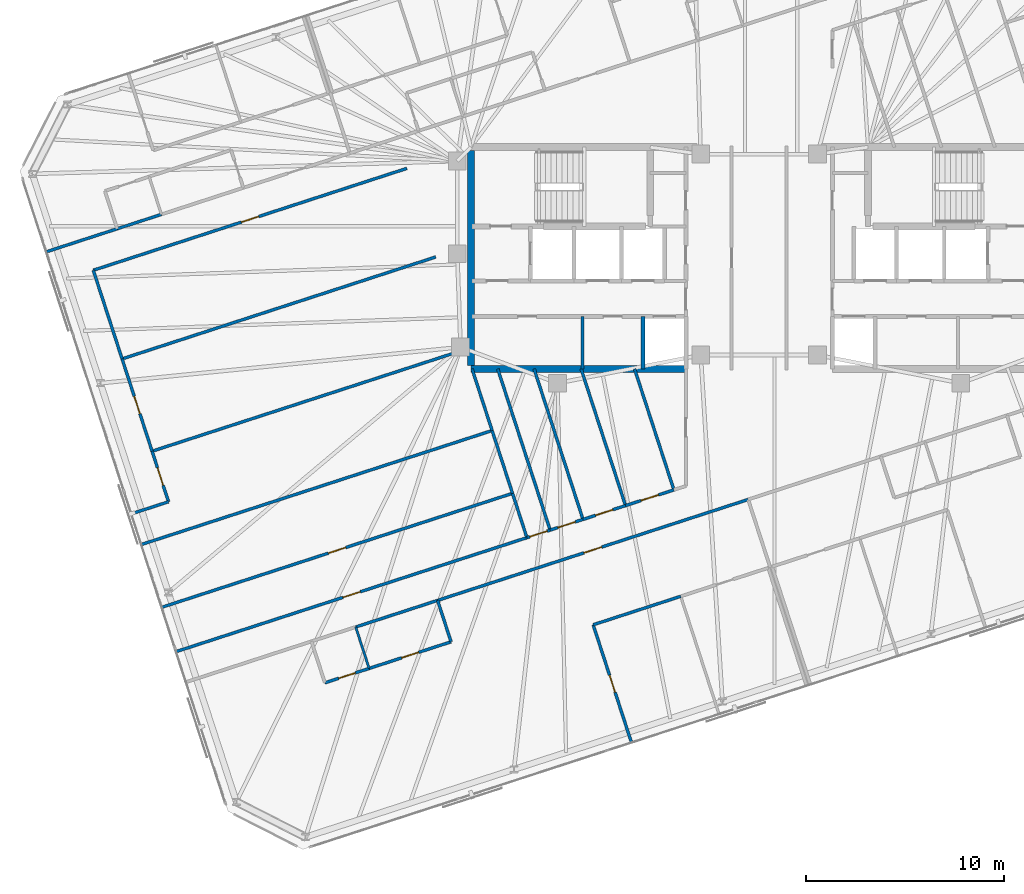
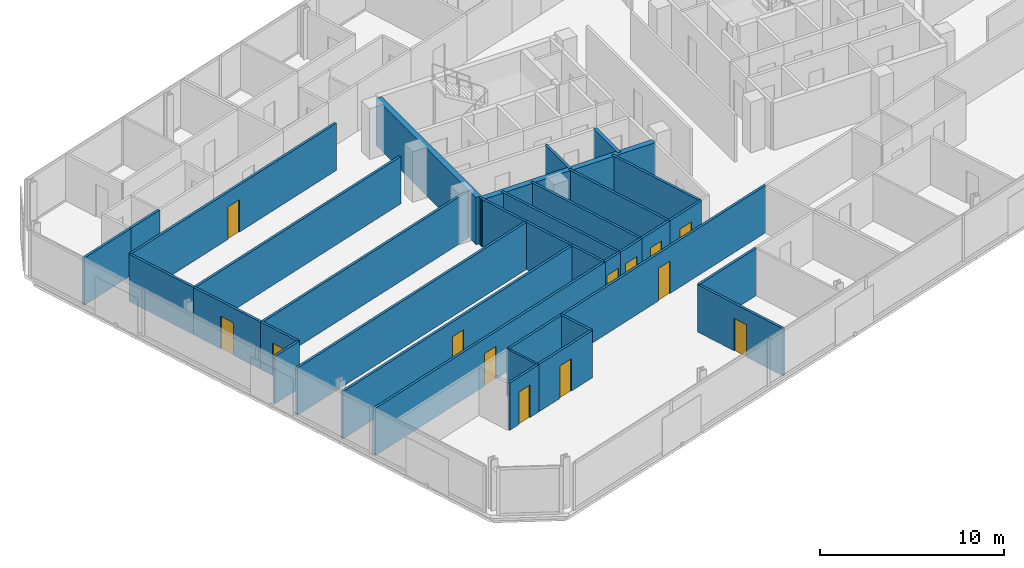
# One storey, part 13 of 20: 35 walls, 13 doors, 13 openings.
"""IFC4 building model written with IfcOpenShell, lengths in metres."""

from ifc_helpers import new_model, si_unit, direction, frame, frame_2d, origin, place, context, subcontext, project, spatial, rectangle, extrude, material, layer, layer_set, type_object, element, fill, save


model = new_model("IFC4")

# Units and contexts
model_context = context("Model", 3, precision=1e-05, world=origin(), true_north=direction((0.0, 1.0)))
body_context = subcontext(model_context, "Body", "Model", "MODEL_VIEW")
ifc_project = project(units=[si_unit("LENGTHUNIT", "METRE"), si_unit("AREAUNIT", "SQUARE_METRE"), si_unit("VOLUMEUNIT", "CUBIC_METRE"), si_unit("PLANEANGLEUNIT", "RADIAN"), si_unit("MASSUNIT", "GRAM", prefix="KILO")], contexts=[model_context])

# Site, building, storey
site_placement = place(None, origin())
site = spatial("IfcSite", under=ifc_project, at=site_placement, CompositionType="ELEMENT")
building_placement = place(site_placement, origin())
building = spatial("IfcBuilding", under=site, at=building_placement, Name="Menara Jurai Vektor", CompositionType="ELEMENT")
storey_placement = place(building_placement, frame((0.0, 0.0, 244.39990234375)))
storey = spatial("IfcBuildingStorey", under=building, at=storey_placement, Name="L65", CompositionType="ELEMENT", Elevation=244.39990234375)

# Walls
ifc_material_1 = material(Name="Gypsum Fireboard Partition", Category="gypsum")
ifc_layer_1 = layer(ifc_material_1, 0.14990234375)
ifc_layer_set_1 = layer_set([ifc_layer_1], Name="Gypsum Fireboard Partition")
wall_type_1 = type_object("IfcWallType", Name="INT-WALL-CORR-150", PredefinedType="PARTITIONING", material=ifc_layer_set_1)
wall_1_placement = place(storey_placement, frame((-8.919921875, -5.60009765625, 0.0), z_axis=(0.0, 0.0, 1.0), x_axis=(0.0, 1.0, 0.0)))
element("IfcWall", 1, at=wall_1_placement, inside=storey, type_object=wall_type_1, Name="Interior Wall IW-150 L65", PredefinedType="PARTITIONING", context=body_context, shape_type="SweptSolid", body=[
    extrude(rectangle(XDim=2.650146484375, YDim=0.14990234375, at=frame_2d((1.3251953125, 0.0))), origin(), (0.0, 0.0, 1.0), 3.125),
])
wall_2_placement = place(storey_placement, frame((-36.01220703125, 0.314208984375, 0.0), z_axis=(0.0, 0.0, 1.0), x_axis=(0.951071182868, 0.308971851659, 0.0)))
element("IfcWall", 2, at=wall_2_placement, inside=storey, type_object=wall_type_1, Name="Interior Wall IW-150 L65", PredefinedType="PARTITIONING", context=body_context, shape_type="SweptSolid", body=[
    extrude(rectangle(XDim=3.77001953125, YDim=0.14990234375, at=frame_2d((1.885009765625, 0.0))), origin(), (0.0, 0.0, 1.0), 3.125),
])
wall_3_placement = place(storey_placement, frame((-32.4267578125, 1.47900390625, 0.0), z_axis=(0.0, 0.0, 1.0), x_axis=(0.951045519245, 0.309050837767, 0.0)))
element("IfcWall", 3, at=wall_3_placement, inside=storey, type_object=wall_type_1, Name="Interior Wall IW-150 L65", PredefinedType="PARTITIONING", context=body_context, shape_type="SweptSolid", body=[
    extrude(rectangle(XDim=2.35009765625, YDim=0.14990234375, at=frame_2d((1.175048828125, 0.0))), origin(), (0.0, 0.0, 1.0), 3.125),
])

# Wall, opening, door
wall_4_placement = place(storey_placement, frame((-16.241943359375, -17.292236328125, 0.0), z_axis=(0.0, 0.0, 1.0), x_axis=(0.951056800106, 0.309016120894, 0.0)))
wall_4 = element("IfcWall", 4, at=wall_4_placement, inside=storey, type_object=wall_type_1, Name="Interior Wall IW-150 L65", PredefinedType="PARTITIONING", context=body_context, shape_type="SweptSolid", body=[
    extrude(rectangle(XDim=16.494140625, YDim=0.14990234375, at=frame_2d((8.2470703125, 0.0))), origin(), (0.0, 0.0, 1.0), 3.125),
])
opening_1_placement = place(wall_4_placement, frame((7.77197265625, 0.0, 0.0)))
opening_1 = element("IfcOpeningElement", 5, at=opening_1_placement, cuts=wall_4, Name="Opening D65-29", PredefinedType="OPENING", context=body_context, shape_type="SweptSolid", body=[
    extrude(rectangle(XDim=0.949951171875, YDim=2.14990234375, at=frame_2d((0.47509765625, 1.074951171875))), frame((0.0, 0.0849609375, 0.0), z_axis=(0.0, -1.0, 0.0), x_axis=(1.0, 0.0, 0.0)), (0.0, 0.0, 1.0), 0.169921875),
])
ifc_material_2 = material(Name="Solid Core Timber Fire Door", Category="wood")
door_type_1 = type_object("IfcDoorType", Name="DR-ENTRY-950", OperationType="NOTDEFINED", PredefinedType="DOOR", material=ifc_material_2)
door_1_placement = place(opening_1_placement, origin())
door_1 = element("IfcDoor", 6, at=door_1_placement, inside=storey, type_object=door_type_1, Name="Interior Door D65-29", OperationType="SINGLE_SWING_RIGHT", OverallHeight=2.14990234375, OverallWidth=0.949951171875, PredefinedType="DOOR", context=body_context, shape_type="SweptSolid", body=[
    extrude(rectangle(XDim=0.949951171875, YDim=2.14990234375, at=frame_2d((0.47509765625, 1.074951171875))), frame((0.0, 0.02490234375, 0.0), z_axis=(0.0, -1.0, 0.0), x_axis=(1.0, 0.0, 0.0)), (0.0, 0.0, 1.0), 0.050048828125),
])
fill(opening_1, door_1)

# Wall
wall_5_placement = place(storey_placement, frame((-20.37890625, -18.636474609375, 0.0), z_axis=(0.0, 0.0, 1.0), x_axis=(0.951052627573, 0.309028962374, 0.0)))
element("IfcWall", 7, at=wall_5_placement, inside=storey, type_object=wall_type_1, Name="Interior Wall IW-150 L65", PredefinedType="PARTITIONING", context=body_context, shape_type="SweptSolid", body=[
    extrude(rectangle(XDim=4.349853515625, YDim=0.14990234375, at=frame_2d((2.1748046875, 0.0))), origin(), (0.0, 0.0, 1.0), 3.125),
])

# Wall, opening, door
wall_6_placement = place(storey_placement, frame((-29.450439453125, -19.880615234375, 0.0), z_axis=(0.0, 0.0, 1.0), x_axis=(0.95105650271, 0.309017036186, 0.0)))
wall_6 = element("IfcWall", 8, at=wall_6_placement, inside=storey, type_object=wall_type_1, Name="Interior Wall IW-150 L65", PredefinedType="PARTITIONING", context=body_context, shape_type="SweptSolid", body=[
    extrude(rectangle(XDim=18.6318359375, YDim=0.14990234375, at=frame_2d((9.31591796875, 0.0))), origin(), (0.0, 0.0, 1.0), 3.125),
])
opening_2_placement = place(wall_6_placement, frame((8.85595703125, 0.0, 0.0)))
opening_2 = element("IfcOpeningElement", 9, at=opening_2_placement, cuts=wall_6, Name="Opening D65-39", PredefinedType="OPENING", context=body_context, shape_type="SweptSolid", body=[
    extrude(rectangle(XDim=0.919921875, YDim=2.14990234375, at=frame_2d((0.4599609375, 1.074951171875))), frame((0.0, 0.0849609375, 0.0), z_axis=(0.0, -1.0, 0.0), x_axis=(1.0, 0.0, 0.0)), (0.0, 0.0, 1.0), 0.169921875),
])
door_2_placement = place(opening_2_placement, origin())
door_2 = element("IfcDoor", 10, at=door_2_placement, inside=storey, type_object=door_type_1, Name="Interior Door D65-39", OperationType="SINGLE_SWING_RIGHT", OverallHeight=2.14990234375, OverallWidth=0.919921875, PredefinedType="DOOR", context=body_context, shape_type="SweptSolid", body=[
    extrude(rectangle(XDim=0.919921875, YDim=2.14990234375, at=frame_2d((0.4599609375, 1.074951171875))), frame((0.0, 0.02490234375, 0.0), z_axis=(0.0, -1.0, 0.0), x_axis=(1.0, 0.0, 0.0)), (0.0, 0.0, 1.0), 0.050048828125),
])
fill(opening_2, door_2)

# Wall
wall_7_placement = place(storey_placement, frame((-31.7119140625, -12.9208984375, 0.0), z_axis=(0.0, 0.0, 1.0), x_axis=(0.951054051148, 0.309024581215, 0.0)))
element("IfcWall", 11, at=wall_7_placement, inside=storey, type_object=wall_type_1, Name="Interior Wall IW-150 L65", PredefinedType="PARTITIONING", context=body_context, shape_type="SweptSolid", body=[
    extrude(rectangle(XDim=1.97509765625, YDim=0.14990234375, at=frame_2d((0.987548828125, 0.0))), origin(), (0.0, 0.0, 1.0), 3.125),
])

# Wall, opening, door
wall_8_placement = place(storey_placement, frame((-29.83349609375, -12.310546875, 0.0), z_axis=(0.0, 0.0, 1.0), x_axis=(-0.309044953986, 0.951047431213, 0.0)))
wall_8 = element("IfcWall", 12, at=wall_8_placement, inside=storey, type_object=wall_type_1, Name="Interior Wall IW-150 L65", PredefinedType="PARTITIONING", context=body_context, shape_type="SweptSolid", body=[
    extrude(rectangle(XDim=2.68505859375, YDim=0.14990234375, at=frame_2d((1.342529296875, 0.0))), origin(), (0.0, 0.0, 1.0), 3.125),
])
opening_3_placement = place(wall_8_placement, frame((0.882568359375, 0.0, 0.0)))
opening_3 = element("IfcOpeningElement", 13, at=opening_3_placement, cuts=wall_8, Name="Opening D65-41", PredefinedType="OPENING", context=body_context, shape_type="SweptSolid", body=[
    extrude(rectangle(XDim=0.919921875, YDim=2.14990234375, at=frame_2d((0.4599609375, 1.074951171875))), frame((0.0, 0.0849609375, 0.0), z_axis=(0.0, -1.0, 0.0), x_axis=(1.0, 0.0, 0.0)), (0.0, 0.0, 1.0), 0.169921875),
])
door_3_placement = place(opening_3_placement, origin())
door_3 = element("IfcDoor", 14, at=door_3_placement, inside=storey, type_object=door_type_1, Name="Interior Door D65-41", OperationType="SINGLE_SWING_RIGHT", OverallHeight=2.14990234375, OverallWidth=0.919921875, PredefinedType="DOOR", context=body_context, shape_type="SweptSolid", body=[
    extrude(rectangle(XDim=0.919921875, YDim=2.14990234375, at=frame_2d((0.4599609375, 1.074951171875))), frame((0.0, 0.02490234375, 0.0), z_axis=(0.0, -1.0, 0.0), x_axis=(1.0, 0.0, 0.0)), (0.0, 0.0, 1.0), 0.050048828125),
])
fill(opening_3, door_3)

wall_9_placement = place(storey_placement, frame((-30.663330078125, -9.7568359375, 0.0), z_axis=(0.0, 0.0, 1.0), x_axis=(-0.309019653166, 0.951055652397, 0.0)))
wall_9 = element("IfcWall", 15, at=wall_9_placement, inside=storey, type_object=wall_type_1, Name="Interior Wall IW-150 L65", PredefinedType="PARTITIONING", context=body_context, shape_type="SweptSolid", body=[
    extrude(rectangle(XDim=4.90380859375, YDim=0.14990234375, at=frame_2d((2.451904296875, 0.0))), origin(), (0.0, 0.0, 1.0), 3.125),
])
opening_4_placement = place(wall_9_placement, frame((1.991943359375, 0.0, 0.0)))
opening_4 = element("IfcOpeningElement", 16, at=opening_4_placement, cuts=wall_9, Name="Opening D65-42", PredefinedType="OPENING", context=body_context, shape_type="SweptSolid", body=[
    extrude(rectangle(XDim=0.919921875, YDim=2.14990234375, at=frame_2d((0.4599609375, 1.074951171875))), frame((0.0, 0.0849609375, 0.0), z_axis=(0.0, -1.0, 0.0), x_axis=(1.0, 0.0, 0.0)), (0.0, 0.0, 1.0), 0.169921875),
])
door_4_placement = place(opening_4_placement, origin())
door_4 = element("IfcDoor", 17, at=door_4_placement, inside=storey, type_object=door_type_1, Name="Interior Door D65-42", OperationType="SINGLE_SWING_LEFT", OverallHeight=2.14990234375, OverallWidth=0.919921875, PredefinedType="DOOR", context=body_context, shape_type="SweptSolid", body=[
    extrude(rectangle(XDim=0.919921875, YDim=2.14990234375, at=frame_2d((0.4599609375, 1.074951171875))), frame((0.0, 0.02490234375, 0.0), z_axis=(0.0, -1.0, 0.0), x_axis=(1.0, 0.0, 0.0)), (0.0, 0.0, 1.0), 0.050048828125),
])
fill(opening_4, door_4)

# Wall
wall_10_placement = place(storey_placement, frame((-32.1787109375, -5.093017578125, 0.0), z_axis=(0.0, 0.0, 1.0), x_axis=(-0.309014532869, 0.951057316083, 0.0)))
element("IfcWall", 18, at=wall_10_placement, inside=storey, type_object=wall_type_1, Name="Interior Wall IW-150 L65", PredefinedType="PARTITIONING", context=body_context, shape_type="SweptSolid", body=[
    extrude(rectangle(XDim=4.707275390625, YDim=0.14990234375, at=frame_2d((2.353515625, 0.0))), origin(), (0.0, 0.0, 1.0), 3.125),
])

# Wall, opening, door
wall_11_placement = place(storey_placement, frame((-33.63330078125, -0.6162109375, 0.0), z_axis=(0.0, 0.0, 1.0), x_axis=(0.951058192995, 0.309011833974, 0.0)))
wall_11 = element("IfcWall", 19, at=wall_11_placement, inside=storey, type_object=wall_type_1, Name="Interior Wall IW-150 L65", PredefinedType="PARTITIONING", context=body_context, shape_type="SweptSolid", body=[
    extrude(rectangle(XDim=16.656982421875, YDim=0.14990234375, at=frame_2d((8.32861328125, 0.0))), origin(), (0.0, 0.0, 1.0), 3.125),
])
opening_5_placement = place(wall_11_placement, frame((7.868408203125, 0.0, 0.0)))
opening_5 = element("IfcOpeningElement", 20, at=opening_5_placement, cuts=wall_11, Name="Opening D65-43", PredefinedType="OPENING", context=body_context, shape_type="SweptSolid", body=[
    extrude(rectangle(XDim=0.919921875, YDim=2.14990234375, at=frame_2d((0.4599609375, 1.074951171875))), frame((0.0, 0.0849609375, 0.0), z_axis=(0.0, -1.0, 0.0), x_axis=(1.0, 0.0, 0.0)), (0.0, 0.0, 1.0), 0.169921875),
])
door_5_placement = place(opening_5_placement, origin())
door_5 = element("IfcDoor", 21, at=door_5_placement, inside=storey, type_object=door_type_1, Name="Interior Door D65-43", OperationType="SINGLE_SWING_RIGHT", OverallHeight=2.14990234375, OverallWidth=0.919921875, PredefinedType="DOOR", context=body_context, shape_type="SweptSolid", body=[
    extrude(rectangle(XDim=0.919921875, YDim=2.14990234375, at=frame_2d((0.4599609375, 1.074951171875))), frame((0.0, 0.02490234375, 0.0), z_axis=(0.0, -1.0, 0.0), x_axis=(1.0, 0.0, 0.0)), (0.0, 0.0, 1.0), 0.050048828125),
])
fill(opening_5, door_5)

wall_12_placement = place(storey_placement, frame((-11.73046875, -14.123046875, 0.0), z_axis=(0.0, 0.0, 1.0), x_axis=(0.951032613602, 0.309090549622, 0.0)))
wall_12 = element("IfcWall", 22, at=wall_12_placement, inside=storey, type_object=wall_type_1, Name="Interior Wall IW-150 L65", PredefinedType="PARTITIONING", context=body_context, shape_type="SweptSolid", body=[
    extrude(rectangle(XDim=1.23291015625, YDim=0.14990234375, at=frame_2d((0.616455078125, 0.0))), origin(), (0.0, 0.0, 1.0), 3.125),
])
opening_6_placement = place(wall_12_placement, frame((0.156494140625, 0.0, 0.0)))
opening_6 = element("IfcOpeningElement", 23, at=opening_6_placement, cuts=wall_12, Name="Opening D65-44", PredefinedType="OPENING", context=body_context, shape_type="SweptSolid", body=[
    extrude(rectangle(XDim=0.919921875, YDim=2.14990234375, at=frame_2d((0.4599609375, 1.074951171875))), frame((0.0, 0.0849609375, 0.0), z_axis=(0.0, -1.0, 0.0), x_axis=(1.0, 0.0, 0.0)), (0.0, 0.0, 1.0), 0.169921875),
])
door_6_placement = place(opening_6_placement, origin())
door_6 = element("IfcDoor", 24, at=door_6_placement, inside=storey, type_object=door_type_1, Name="Interior Door D65-44", OperationType="SINGLE_SWING_LEFT", OverallHeight=2.14990234375, OverallWidth=0.919921875, PredefinedType="DOOR", context=body_context, shape_type="SweptSolid", body=[
    extrude(rectangle(XDim=0.919921875, YDim=2.14990234375, at=frame_2d((0.4599609375, 1.074951171875))), frame((0.0, 0.02490234375, 0.0), z_axis=(0.0, -1.0, 0.0), x_axis=(1.0, 0.0, 0.0)), (0.0, 0.0, 1.0), 0.050048828125),
])
fill(opening_6, door_6)

wall_13_placement = place(storey_placement, frame((-10.557861328125, -13.741943359375, 0.0), z_axis=(0.0, 0.0, 1.0), x_axis=(0.951060780507, 0.309003870173, 0.0)))
wall_13 = element("IfcWall", 25, at=wall_13_placement, inside=storey, type_object=wall_type_1, Name="Interior Wall IW-150 L65", PredefinedType="PARTITIONING", context=body_context, shape_type="SweptSolid", body=[
    extrude(rectangle(XDim=1.74609375, YDim=0.14990234375, at=frame_2d((0.873046875, 0.0))), origin(), (0.0, 0.0, 1.0), 3.125),
])
opening_7_placement = place(wall_13_placement, frame((0.4130859375, 0.0, 0.0)))
opening_7 = element("IfcOpeningElement", 26, at=opening_7_placement, cuts=wall_13, Name="Opening D65-45", PredefinedType="OPENING", context=body_context, shape_type="SweptSolid", body=[
    extrude(rectangle(XDim=0.919921875, YDim=2.14990234375, at=frame_2d((0.4599609375, 1.074951171875))), frame((0.0, 0.0849609375, 0.0), z_axis=(0.0, -1.0, 0.0), x_axis=(1.0, 0.0, 0.0)), (0.0, 0.0, 1.0), 0.169921875),
])
door_7_placement = place(opening_7_placement, origin())
door_7 = element("IfcDoor", 27, at=door_7_placement, inside=storey, type_object=door_type_1, Name="Interior Door D65-45", OperationType="SINGLE_SWING_RIGHT", OverallHeight=2.14990234375, OverallWidth=0.919921875, PredefinedType="DOOR", context=body_context, shape_type="SweptSolid", body=[
    extrude(rectangle(XDim=0.919921875, YDim=2.14990234375, at=frame_2d((0.4599609375, 1.074951171875))), frame((0.0, 0.02490234375, 0.0), z_axis=(0.0, -1.0, 0.0), x_axis=(1.0, 0.0, 0.0)), (0.0, 0.0, 1.0), 0.050048828125),
])
fill(opening_7, door_7)

wall_14_placement = place(storey_placement, frame((-8.897216796875, -13.202392578125, 0.0), z_axis=(0.0, 0.0, 1.0), x_axis=(0.951065832698, 0.308988319964, 0.0)))
wall_14 = element("IfcWall", 28, at=wall_14_placement, inside=storey, type_object=wall_type_1, Name="Interior Wall IW-150 L65", PredefinedType="PARTITIONING", context=body_context, shape_type="SweptSolid", body=[
    extrude(rectangle(XDim=2.259033203125, YDim=0.14990234375, at=frame_2d((1.12939453125, 0.0))), origin(), (0.0, 0.0, 1.0), 3.125),
])
opening_8_placement = place(wall_14_placement, frame((0.66943359375, 0.0, 0.0)))
opening_8 = element("IfcOpeningElement", 29, at=opening_8_placement, cuts=wall_14, Name="Opening D65-46", PredefinedType="OPENING", context=body_context, shape_type="SweptSolid", body=[
    extrude(rectangle(XDim=0.919921875, YDim=2.14990234375, at=frame_2d((0.4599609375, 1.074951171875))), frame((0.0, 0.0849609375, 0.0), z_axis=(0.0, -1.0, 0.0), x_axis=(1.0, 0.0, 0.0)), (0.0, 0.0, 1.0), 0.169921875),
])
door_8_placement = place(opening_8_placement, origin())
door_8 = element("IfcDoor", 30, at=door_8_placement, inside=storey, type_object=door_type_1, Name="Interior Door D65-46", OperationType="SINGLE_SWING_LEFT", OverallHeight=2.14990234375, OverallWidth=0.919921875, PredefinedType="DOOR", context=body_context, shape_type="SweptSolid", body=[
    extrude(rectangle(XDim=0.919921875, YDim=2.14990234375, at=frame_2d((0.4599609375, 1.074951171875))), frame((0.0, 0.02490234375, 0.0), z_axis=(0.0, -1.0, 0.0), x_axis=(1.0, 0.0, 0.0)), (0.0, 0.0, 1.0), 0.050048828125),
])
fill(opening_8, door_8)

wall_15_placement = place(storey_placement, frame((-6.748779296875, -12.50439453125, 0.0), z_axis=(0.0, 0.0, 1.0), x_axis=(0.951042451835, 0.309060276981, 0.0)))
wall_15 = element("IfcWall", 31, at=wall_15_placement, inside=storey, type_object=wall_type_1, Name="Interior Wall IW-150 L65", PredefinedType="PARTITIONING", context=body_context, shape_type="SweptSolid", body=[
    extrude(rectangle(XDim=2.568115234375, YDim=0.14990234375, at=frame_2d((1.2841796875, 0.0))), origin(), (0.0, 0.0, 1.0), 3.125),
])
opening_9_placement = place(wall_15_placement, frame((0.823974609375, 0.0, 0.0)))
opening_9 = element("IfcOpeningElement", 32, at=opening_9_placement, cuts=wall_15, Name="Opening D65-47", PredefinedType="OPENING", context=body_context, shape_type="SweptSolid", body=[
    extrude(rectangle(XDim=0.919921875, YDim=2.14990234375, at=frame_2d((0.4599609375, 1.074951171875))), frame((0.0, 0.0849609375, 0.0), z_axis=(0.0, -1.0, 0.0), x_axis=(1.0, 0.0, 0.0)), (0.0, 0.0, 1.0), 0.169921875),
])
door_9_placement = place(opening_9_placement, origin())
door_9 = element("IfcDoor", 33, at=door_9_placement, inside=storey, type_object=door_type_1, Name="Interior Door D65-47", OperationType="SINGLE_SWING_RIGHT", OverallHeight=2.14990234375, OverallWidth=0.919921875, PredefinedType="DOOR", context=body_context, shape_type="SweptSolid", body=[
    extrude(rectangle(XDim=0.919921875, YDim=2.14990234375, at=frame_2d((0.4599609375, 1.074951171875))), frame((0.0, 0.02490234375, 0.0), z_axis=(0.0, -1.0, 0.0), x_axis=(1.0, 0.0, 0.0)), (0.0, 0.0, 1.0), 0.050048828125),
])
fill(opening_9, door_9)

wall_16_placement = place(storey_placement, frame((-21.93408203125, -21.455078125, 0.0), z_axis=(0.0, 0.0, 1.0), x_axis=(0.951035595692, 0.309081373955, 0.0)))
wall_16 = element("IfcWall", 34, at=wall_16_placement, inside=storey, type_object=wall_type_1, Name="Interior Wall IW-150 L65", PredefinedType="PARTITIONING", context=body_context, shape_type="SweptSolid", body=[
    extrude(rectangle(XDim=2.349853515625, YDim=0.14990234375, at=frame_2d((1.1748046875, 0.0))), origin(), (0.0, 0.0, 1.0), 3.125),
])
opening_10_placement = place(wall_16_placement, frame((0.735107421875, 0.0, 0.0)))
opening_10 = element("IfcOpeningElement", 35, at=opening_10_placement, cuts=wall_16, Name="Opening D65-30", PredefinedType="OPENING", context=body_context, shape_type="SweptSolid", body=[
    extrude(rectangle(XDim=0.8798828125, YDim=2.14990234375, at=frame_2d((0.43994140625, 1.074951171875))), frame((0.0, 0.0849609375, 0.0), z_axis=(0.0, -1.0, 0.0), x_axis=(1.0, 0.0, 0.0)), (0.0, 0.0, 1.0), 0.169921875),
])
ifc_material_3 = material(Name="Moisture-Resistant Timber Door", Category="wood")
door_type_2 = type_object("IfcDoorType", Name="DR-BATH-880", OperationType="NOTDEFINED", PredefinedType="DOOR", material=ifc_material_3)
door_10_placement = place(opening_10_placement, origin())
door_10 = element("IfcDoor", 36, at=door_10_placement, inside=storey, type_object=door_type_2, Name="Interior Door D65-30", OperationType="SINGLE_SWING_LEFT", OverallHeight=2.14990234375, OverallWidth=0.8798828125, PredefinedType="DOOR", context=body_context, shape_type="SweptSolid", body=[
    extrude(rectangle(XDim=0.8798828125, YDim=2.14990234375, at=frame_2d((0.43994140625, 1.074951171875))), frame((0.0, 0.02490234375, 0.0), z_axis=(0.0, -1.0, 0.0), x_axis=(1.0, 0.0, 0.0)), (0.0, 0.0, 1.0), 0.050048828125),
])
fill(opening_10, door_10)

wall_17_placement = place(storey_placement, frame((-19.69921875, -20.728759765625, 0.0), z_axis=(0.0, 0.0, 1.0), x_axis=(0.951057987102, 0.309012467661, 0.0)))
wall_17 = element("IfcWall", 37, at=wall_17_placement, inside=storey, type_object=wall_type_1, Name="Interior Wall IW-150 L65", PredefinedType="PARTITIONING", context=body_context, shape_type="SweptSolid", body=[
    extrude(rectangle(XDim=4.35009765625, YDim=0.14990234375, at=frame_2d((2.175048828125, 0.0))), origin(), (0.0, 0.0, 1.0), 3.125),
])
opening_11_placement = place(wall_17_placement, frame((1.72509765625, 0.0, 0.0)))
opening_11 = element("IfcOpeningElement", 38, at=opening_11_placement, cuts=wall_17, Name="Opening D65-31", PredefinedType="OPENING", context=body_context, shape_type="SweptSolid", body=[
    extrude(rectangle(XDim=0.89990234375, YDim=2.14990234375, at=frame_2d((0.449951171875, 1.074951171875))), frame((0.0, 0.0849609375, 0.0), z_axis=(0.0, -1.0, 0.0), x_axis=(1.0, 0.0, 0.0)), (0.0, 0.0, 1.0), 0.169921875),
])
ifc_material_4 = material(Name="Acoustic Timber Interior Door", Category="wood")
door_type_3 = type_object("IfcDoorType", Name="DR-ROOM-900", OperationType="NOTDEFINED", PredefinedType="DOOR", material=ifc_material_4)
door_11_placement = place(opening_11_placement, origin())
door_11 = element("IfcDoor", 39, at=door_11_placement, inside=storey, type_object=door_type_3, Name="Interior Door D65-31", OperationType="SINGLE_SWING_RIGHT", OverallHeight=2.14990234375, OverallWidth=0.89990234375, PredefinedType="DOOR", context=body_context, shape_type="SweptSolid", body=[
    extrude(rectangle(XDim=0.89990234375, YDim=2.14990234375, at=frame_2d((0.449951171875, 1.074951171875))), frame((0.0, 0.02490234375, 0.0), z_axis=(0.0, -1.0, 0.0), x_axis=(1.0, 0.0, 0.0)), (0.0, 0.0, 1.0), 0.050048828125),
])
fill(opening_11, door_11)

# Wall
wall_18_placement = place(storey_placement, frame((-15.56201171875, -19.384521484375, 0.0), z_axis=(0.0, 0.0, 1.0), x_axis=(-0.309060979314, 0.951042223598, 0.0)))
element("IfcWall", 40, at=wall_18_placement, inside=storey, type_object=wall_type_1, Name="Interior Wall IW-150 L65", PredefinedType="PARTITIONING", context=body_context, shape_type="SweptSolid", body=[
    extrude(rectangle(XDim=2.199951171875, YDim=0.14990234375, at=frame_2d((1.10009765625, 0.0))), origin(), (0.0, 0.0, 1.0), 3.125),
])

# Wall, opening, door
wall_19_placement = place(storey_placement, frame((-6.447509765625, -24.4794921875, 0.0), z_axis=(0.0, 0.0, 1.0), x_axis=(-0.309049046683, 0.951046101272, 0.0)))
wall_19 = element("IfcWall", 41, at=wall_19_placement, inside=storey, type_object=wall_type_1, Name="Interior Wall IW-150 L65", PredefinedType="PARTITIONING", context=body_context, shape_type="SweptSolid", body=[
    extrude(rectangle(XDim=6.26220703125, YDim=0.14990234375, at=frame_2d((3.131103515625, 0.0))), origin(), (0.0, 0.0, 1.0), 3.125),
])
opening_12_placement = place(wall_19_placement, frame((2.680908203125, 0.0, 0.0)))
opening_12 = element("IfcOpeningElement", 42, at=opening_12_placement, cuts=wall_19, Name="Opening D65-32", PredefinedType="OPENING", context=body_context, shape_type="SweptSolid", body=[
    extrude(rectangle(XDim=0.89990234375, YDim=2.14990234375, at=frame_2d((0.449951171875, 1.074951171875))), frame((0.0, 0.0849609375, 0.0), z_axis=(0.0, -1.0, 0.0), x_axis=(1.0, 0.0, 0.0)), (0.0, 0.0, 1.0), 0.169921875),
])
door_12_placement = place(opening_12_placement, origin())
door_12 = element("IfcDoor", 43, at=door_12_placement, inside=storey, type_object=door_type_3, Name="Interior Door D65-32", OperationType="SINGLE_SWING_LEFT", OverallHeight=2.14990234375, OverallWidth=0.89990234375, PredefinedType="DOOR", context=body_context, shape_type="SweptSolid", body=[
    extrude(rectangle(XDim=0.89990234375, YDim=2.14990234375, at=frame_2d((0.449951171875, 1.074951171875))), frame((0.0, 0.02490234375, 0.0), z_axis=(0.0, -1.0, 0.0), x_axis=(1.0, 0.0, 0.0)), (0.0, 0.0, 1.0), 0.050048828125),
])
fill(opening_12, door_12)

# Wall
wall_20_placement = place(storey_placement, frame((-8.3828125, -18.52392578125, 0.0), z_axis=(0.0, 0.0, 1.0), x_axis=(0.951055286502, 0.309020779263, 0.0)))
element("IfcWall", 44, at=wall_20_placement, inside=storey, type_object=wall_type_1, Name="Interior Wall IW-150 L65", PredefinedType="PARTITIONING", context=body_context, shape_type="SweptSolid", body=[
    extrude(rectangle(XDim=4.650146484375, YDim=0.14990234375, at=frame_2d((2.3251953125, 0.0))), origin(), (0.0, 0.0, 1.0), 3.125),
])

# Wall, opening, door
wall_21_placement = place(storey_placement, frame((-30.177978515625, -17.641845703125, 0.0), z_axis=(0.0, 0.0, 1.0), x_axis=(0.95105650271, 0.309017036186, 0.0)))
wall_21 = element("IfcWall", 45, at=wall_21_placement, inside=storey, type_object=wall_type_1, Name="Interior Wall IW-150 L65", PredefinedType="PARTITIONING", context=body_context, shape_type="SweptSolid", body=[
    extrude(rectangle(XDim=18.6318359375, YDim=0.14990234375, at=frame_2d((9.31591796875, 0.0))), origin(), (0.0, 0.0, 1.0), 3.125),
])
opening_13_placement = place(wall_21_placement, frame((8.85595703125, 0.0, 0.0)))
opening_13 = element("IfcOpeningElement", 46, at=opening_13_placement, cuts=wall_21, Name="Opening D65-40", PredefinedType="OPENING", context=body_context, shape_type="SweptSolid", body=[
    extrude(rectangle(XDim=0.919921875, YDim=2.14990234375, at=frame_2d((0.4599609375, 1.074951171875))), frame((0.0, 0.0849609375, 0.0), z_axis=(0.0, -1.0, 0.0), x_axis=(1.0, 0.0, 0.0)), (0.0, 0.0, 1.0), 0.169921875),
])
door_13_placement = place(opening_13_placement, origin())
door_13 = element("IfcDoor", 47, at=door_13_placement, inside=storey, type_object=door_type_1, Name="Interior Door D65-40", OperationType="SINGLE_SWING_LEFT", OverallHeight=2.14990234375, OverallWidth=0.919921875, PredefinedType="DOOR", context=body_context, shape_type="SweptSolid", body=[
    extrude(rectangle(XDim=0.919921875, YDim=2.14990234375, at=frame_2d((0.4599609375, 1.074951171875))), frame((0.0, 0.02490234375, 0.0), z_axis=(0.0, -1.0, 0.0), x_axis=(1.0, 0.0, 0.0)), (0.0, 0.0, 1.0), 0.050048828125),
])
fill(opening_13, door_13)

# Walls
wall_22_placement = place(storey_placement, frame((-11.73046875, -14.123046875, 0.0), z_axis=(0.0, 0.0, 1.0), x_axis=(-0.309062621189, 0.951041690035, 0.0)))
element("IfcWall", 48, at=wall_22_placement, inside=storey, type_object=wall_type_1, Name="Interior Wall IW-150 L65", PredefinedType="PARTITIONING", context=body_context, shape_type="SweptSolid", body=[
    extrude(rectangle(XDim=2.35400390625, YDim=0.14990234375, at=frame_2d((1.177001953125, 0.0))), origin(), (0.0, 0.0, 1.0), 3.125),
])
wall_23_placement = place(storey_placement, frame((-31.208251953125, -14.470947265625, 0.0), z_axis=(0.0, 0.0, 1.0), x_axis=(0.951057753948, 0.309013185244, 0.0)))
element("IfcWall", 49, at=wall_23_placement, inside=storey, type_object=wall_type_1, Name="Interior Wall IW-150 L65", PredefinedType="PARTITIONING", context=body_context, shape_type="SweptSolid", body=[
    extrude(rectangle(XDim=18.632080078125, YDim=0.14990234375, at=frame_2d((9.31591796875, 0.0))), origin(), (0.0, 0.0, 1.0), 3.125),
])
wall_24_placement = place(storey_placement, frame((-12.4580078125, -11.88427734375, 0.0), z_axis=(0.0, 0.0, 1.0), x_axis=(-0.308946982245, 0.951079261766, 0.0)))
element("IfcWall", 50, at=wall_24_placement, inside=storey, type_object=wall_type_1, Name="Interior Wall IW-150 L65", PredefinedType="PARTITIONING", context=body_context, shape_type="SweptSolid", body=[
    extrude(rectangle(XDim=3.333984375, YDim=0.14990234375, at=frame_2d((1.6669921875, 0.0))), origin(), (0.0, 0.0, 1.0), 3.125),
])
wall_25_placement = place(storey_placement, frame((-30.663330078125, -9.7568359375, 0.0), z_axis=(0.0, 0.0, 1.0), x_axis=(0.951058192995, 0.309011833974, 0.0)))
element("IfcWall", 51, at=wall_25_placement, inside=storey, type_object=wall_type_1, Name="Interior Wall IW-150 L65", PredefinedType="PARTITIONING", context=body_context, shape_type="SweptSolid", body=[
    extrude(rectangle(XDim=16.656982421875, YDim=0.14990234375, at=frame_2d((8.32861328125, 0.0))), origin(), (0.0, 0.0, 1.0), 3.125),
])
wall_26_placement = place(storey_placement, frame((-13.488037109375, -8.71337890625, 0.0), z_axis=(0.0, 0.0, 1.0), x_axis=(-0.309082700143, 0.951035164687, 0.0)))
element("IfcWall", 52, at=wall_26_placement, inside=storey, type_object=wall_type_1, Name="Interior Wall IW-150 L65", PredefinedType="PARTITIONING", context=body_context, shape_type="SweptSolid", body=[
    extrude(rectangle(XDim=3.274169921875, YDim=0.14990234375, at=frame_2d((1.63720703125, 0.0))), origin(), (0.0, 0.0, 1.0), 3.125),
])
wall_27_placement = place(storey_placement, frame((-32.1787109375, -5.093017578125, 0.0), z_axis=(0.0, 0.0, 1.0), x_axis=(0.951053885426, 0.309025091239, 0.0)))
element("IfcWall", 53, at=wall_27_placement, inside=storey, type_object=wall_type_1, Name="Interior Wall IW-150 L65", PredefinedType="PARTITIONING", context=body_context, shape_type="SweptSolid", body=[
    extrude(rectangle(XDim=16.656982421875, YDim=0.14990234375, at=frame_2d((8.32861328125, 0.0))), origin(), (0.0, 0.0, 1.0), 3.125),
])
wall_28_placement = place(storey_placement, frame((-10.557861328125, -13.741943359375, 0.0), z_axis=(0.0, 0.0, 1.0), x_axis=(-0.309023521796, 0.951054395383, 0.0)))
element("IfcWall", 54, at=wall_28_placement, inside=storey, type_object=wall_type_1, Name="Interior Wall IW-150 L65", PredefinedType="PARTITIONING", context=body_context, shape_type="SweptSolid", body=[
    extrude(rectangle(XDim=8.560791015625, YDim=0.14990234375, at=frame_2d((4.2802734375, 0.0))), origin(), (0.0, 0.0, 1.0), 3.125),
])
wall_29_placement = place(storey_placement, frame((-8.897216796875, -13.202392578125, 0.0), z_axis=(0.0, 0.0, 1.0), x_axis=(-0.309008036968, 0.951059426687, 0.0)))
element("IfcWall", 55, at=wall_29_placement, inside=storey, type_object=wall_type_1, Name="Interior Wall IW-150 L65", PredefinedType="PARTITIONING", context=body_context, shape_type="SweptSolid", body=[
    extrude(rectangle(XDim=7.993896484375, YDim=0.14990234375, at=frame_2d((3.9970703125, 0.0))), origin(), (0.0, 0.0, 1.0), 3.125),
])
wall_30_placement = place(storey_placement, frame((-6.748779296875, -12.50439453125, 0.0), z_axis=(0.0, 0.0, 1.0), x_axis=(-0.309005471061, 0.95106026037, 0.0)))
element("IfcWall", 56, at=wall_30_placement, inside=storey, type_object=wall_type_1, Name="Interior Wall IW-150 L65", PredefinedType="PARTITIONING", context=body_context, shape_type="SweptSolid", body=[
    extrude(rectangle(XDim=7.260009765625, YDim=0.14990234375, at=frame_2d((3.6298828125, 0.0))), origin(), (0.0, 0.0, 1.0), 3.125),
])
wall_31_placement = place(storey_placement, frame((-4.306396484375, -11.710693359375, 0.0), z_axis=(0.0, 0.0, 1.0), x_axis=(-0.309048266124, 0.951046354919, 0.0)))
element("IfcWall", 57, at=wall_31_placement, inside=storey, type_object=wall_type_1, Name="Interior Wall IW-150 L65", PredefinedType="PARTITIONING", context=body_context, shape_type="SweptSolid", body=[
    extrude(rectangle(XDim=6.4248046875, YDim=0.14990234375, at=frame_2d((3.21240234375, 0.0))), origin(), (0.0, 0.0, 1.0), 3.125),
])
ifc_material_5 = material(Name="Gypsum Acoustic Stud Partition", Category="gypsum")
ifc_layer_2 = layer(ifc_material_5, 0.1201171875)
ifc_layer_set_2 = layer_set([ifc_layer_2], Name="Gypsum Acoustic Stud Partition")
wall_type_2 = type_object("IfcWallType", Name="INT-WALL-PART-120", PredefinedType="PARTITIONING", material=ifc_layer_set_2)
wall_32_placement = place(storey_placement, frame((-19.69921875, -20.728759765625, 0.0), z_axis=(0.0, 0.0, 1.0), x_axis=(-0.308960600764, 0.951074837842, 0.0)))
element("IfcWall", 58, at=wall_32_placement, inside=storey, type_object=wall_type_2, Name="Interior Wall IW-120 L65", PredefinedType="PARTITIONING", context=body_context, shape_type="SweptSolid", body=[
    extrude(rectangle(XDim=2.199951171875, YDim=0.1201171875, at=frame_2d((1.10009765625, 0.0))), origin(), (0.0, 0.0, 1.0), 3.125),
])
ifc_material_6 = material(Name="Concrete C40/50", Category="concrete")
ifc_layer_3 = layer(ifc_material_6, 0.199951171875)
ifc_layer_set_3 = layer_set([ifc_layer_3], Name="Concrete C40/50")
wall_type_3 = type_object("IfcWallType", Name="INT-WALL-SHAFT-200", PredefinedType="STANDARD", material=ifc_layer_set_3)
wall_33_placement = place(storey_placement, frame((-5.860107421875, -5.60009765625, 0.0), z_axis=(0.0, 0.0, 1.0), x_axis=(0.0, 1.0, 0.0)))
element("IfcWall", 59, at=wall_33_placement, inside=storey, type_object=wall_type_3, Name="Interior Wall IW-200 L65", PredefinedType="STANDARD", context=body_context, shape_type="SweptSolid", body=[
    extrude(rectangle(XDim=2.650146484375, YDim=0.199951171875, at=frame_2d((1.3251953125, 0.0))), origin(), (0.0, 0.0, 1.0), 3.125),
])
ifc_material_7 = material(Name="Concrete C50/60", Category="concrete")
ifc_layer_4 = layer(ifc_material_7, 0.35009765625)
ifc_layer_set_4 = layer_set([ifc_layer_4], Name="Concrete C50/60")
wall_type_4 = type_object("IfcWallType", Name="STR-WALL-CORE350", PredefinedType="SHEAR", material=ifc_layer_set_4)
wall_34_placement = place(storey_placement, frame((-14.56005859375, -5.60009765625, 0.0), z_axis=(0.0, 0.0, 1.0), x_axis=(1.0, 0.0, 0.0)))
element("IfcWall", 60, at=wall_34_placement, inside=storey, type_object=wall_type_4, Name="Core Shear Wall CW-W-S L65", PredefinedType="SHEAR", context=body_context, shape_type="SweptSolid", body=[
    extrude(rectangle(XDim=10.860107421875, YDim=0.35009765625, at=frame_2d((5.43017578125, 0.0))), origin(), (0.0, 0.0, 1.0), 3.125),
])
wall_35_placement = place(storey_placement, frame((-14.56005859375, -5.425048828125, 0.0), z_axis=(0.0, 0.0, 1.0), x_axis=(0.0, 1.0, 0.0)))
element("IfcWall", 61, at=wall_35_placement, inside=storey, type_object=wall_type_4, Name="Core Shear Wall CW-W-W L65", PredefinedType="SHEAR", context=body_context, shape_type="SweptSolid", body=[
    extrude(rectangle(XDim=10.85009765625, YDim=0.35009765625, at=frame_2d((5.425048828125, 0.0))), origin(), (0.0, 0.0, 1.0), 3.125),
])

save(model, "model.ifc")
